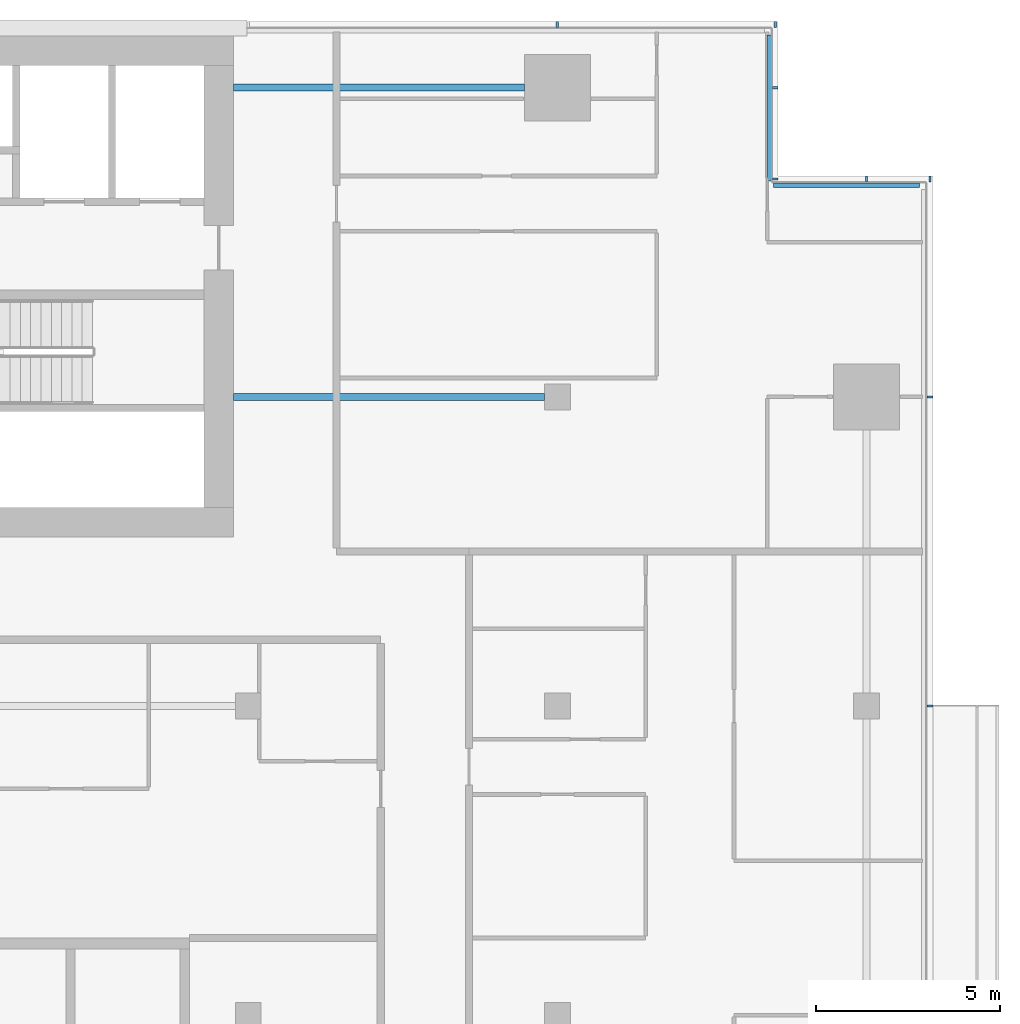
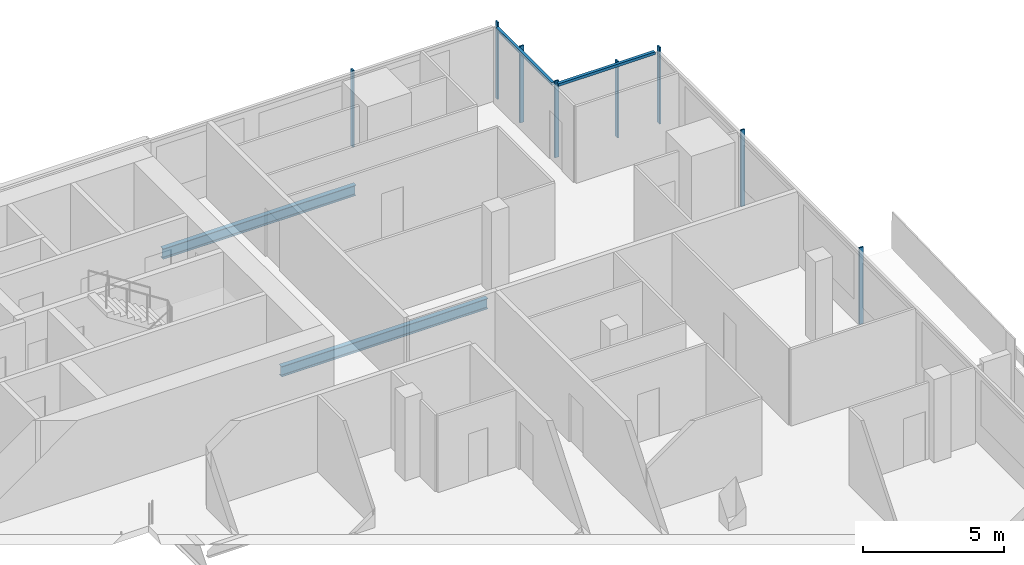
# One storey, part 14 of 29: 10 members, 2 beams, 4 elements without a shape of their own.
"""IFC4 building model written with IfcOpenShell, lengths in metres."""

from ifc_helpers import new_model, si_unit, direction, frame, origin, origin_2d, place, context, subcontext, project, spatial, rectangle, i_section, extrude, material, material_profile, profile_set, type_object, element, aggregate, save


model = new_model("IFC4")

# Units and contexts
model_context = context("Model", 3, precision=1e-05, world=origin(), true_north=direction((0.0, 1.0)))
body_context = subcontext(model_context, "Body", "Model", "MODEL_VIEW")
ifc_project = project(units=[si_unit("LENGTHUNIT", "METRE"), si_unit("AREAUNIT", "SQUARE_METRE"), si_unit("VOLUMEUNIT", "CUBIC_METRE"), si_unit("PLANEANGLEUNIT", "RADIAN"), si_unit("MASSUNIT", "GRAM", prefix="KILO")], contexts=[model_context])

# Site, building, storey
site_placement = place(None, origin())
site = spatial("IfcSite", under=ifc_project, at=site_placement, CompositionType="ELEMENT")
building_placement = place(site_placement, origin())
building = spatial("IfcBuilding", under=site, at=building_placement, Name="Saffron Gate Tower", CompositionType="ELEMENT")
storey_placement = place(building_placement, frame((0.0, 0.0, 161.85009765625)))
storey = spatial("IfcBuildingStorey", under=building, at=storey_placement, Name="L39", CompositionType="ELEMENT", Elevation=161.85009765625)

# Beams
ifc_material_1 = material(Name="Structural steel S355", Category="steel")
ifc_material_profile_1 = material_profile(ifc_material_1, i_section(OverallWidth=0.18994140625, OverallDepth=0.449951171875, WebThickness=0.009521484375, FlangeThickness=0.0146484375, FilletRadius=0.02099609375, at=origin_2d()))
ifc_profile_set_1 = profile_set([ifc_material_profile_1], Name="Structural steel S355")
beam_type = type_object("IfcBeamType", Name="B6 IPE 450", PredefinedType="BEAM", material=ifc_profile_set_1)
beam_1_placement = place(storey_placement, frame((116.64990234375, 65.39990234375, -0.505126953125), z_axis=(-1.0, 0.0, 0.0), x_axis=(0.0, -1.0, 0.0)))
element("IfcBeam", 1, at=beam_1_placement, inside=storey, type_object=beam_type, Name="B6 CORE TIE BEAM", PredefinedType="BEAM", context=body_context, shape_type="SweptSolid", body=[
    extrude(i_section(OverallWidth=0.18994140625, OverallDepth=0.449951171875, WebThickness=0.009521484375, FlangeThickness=0.0146484375, FilletRadius=0.02099609375, at=origin_2d()), origin(), (0.0, 0.0, 1.0), 8.449951171875),
])
beam_2_placement = place(storey_placement, frame((116.10009765625, 73.800048828125, -0.505126953125), z_axis=(-1.0, 0.0, 0.0), x_axis=(0.0, -1.0, 0.0)))
element("IfcBeam", 2, at=beam_2_placement, inside=storey, type_object=beam_type, Name="B6 CORE TIE BEAM", PredefinedType="BEAM", context=body_context, shape_type="SweptSolid", body=[
    extrude(i_section(OverallWidth=0.18994140625, OverallDepth=0.449951171875, WebThickness=0.009521484375, FlangeThickness=0.0146484375, FilletRadius=0.02099609375, at=origin_2d()), origin(), (0.0, 0.0, 1.0), 7.900146484375),
])

# Curtain wall, members
ifc_material_2 = material(Name="Aluminium, bronze anodised", Category="aluminium")
curtain_wall_type_1 = type_object("IfcCurtainWallType", Name="CWS2 curtain wall side facades", PredefinedType="NOTDEFINED", material=ifc_material_2)
curtain_wall_1_placement = place(storey_placement, origin())
curtain_wall_1 = element("IfcCurtainWall", 3, at=curtain_wall_1_placement, inside=storey, type_object=curtain_wall_type_1, Name="CWS2 run 4", PredefinedType="NOTDEFINED")
ifc_material_profile_2 = material_profile(ifc_material_2, rectangle(XDim=0.159912109375, YDim=0.06005859375, at=origin_2d()))
ifc_profile_set_2 = profile_set([ifc_material_profile_2], Name="Aluminium, bronze anodised")
member_type_1 = type_object("IfcMemberType", Name="CWS2 mullion 60x160", PredefinedType="MULLION", material=ifc_profile_set_2)
member_1_placement = place(storey_placement, frame((127.1201171875, 57.0, 0.0), z_axis=(0.0, 0.0, 1.0), x_axis=(-1.0, 0.0, 0.0)))
member_1 = element("IfcMember", 4, at=member_1_placement, type_object=member_type_1, Name="CWS2 mullion 4", PredefinedType="MULLION", context=body_context, shape_type="SweptSolid", body=[
    extrude(rectangle(XDim=0.159912109375, YDim=0.06005859375, at=origin_2d()), origin(), (0.0, 0.0, 1.0), 3.31982421875),
])
member_2_placement = place(storey_placement, frame((127.1201171875, 65.39990234375, 0.0), z_axis=(0.0, 0.0, 1.0), x_axis=(-1.0, 0.0, 0.0)))
member_2 = element("IfcMember", 5, at=member_2_placement, type_object=member_type_1, Name="CWS2 mullion 5", PredefinedType="MULLION", context=body_context, shape_type="SweptSolid", body=[
    extrude(rectangle(XDim=0.159912109375, YDim=0.06005859375, at=origin_2d()), origin(), (0.0, 0.0, 1.0), 3.31982421875),
])
aggregate(curtain_wall_1, [member_1, member_2])

curtain_wall_type_2 = type_object("IfcCurtainWallType", Name="CWS3 curtain wall rear facade", PredefinedType="NOTDEFINED", material=ifc_material_2)
curtain_wall_2_placement = place(storey_placement, origin())
curtain_wall_2 = element("IfcCurtainWall", 6, at=curtain_wall_2_placement, inside=storey, type_object=curtain_wall_type_2, Name="CWS3 run 7", PredefinedType="NOTDEFINED")
ifc_material_profile_3 = material_profile(ifc_material_2, rectangle(XDim=0.159912109375, YDim=0.070068359375, at=origin_2d()))
ifc_profile_set_3 = profile_set([ifc_material_profile_3], Name="Aluminium, bronze anodised")
member_type_2 = type_object("IfcMemberType", Name="CWS3 mullion 70x160", PredefinedType="MULLION", material=ifc_profile_set_3)
member_3_placement = place(storey_placement, frame((122.919921875, 75.52001953125, 0.0), z_axis=(0.0, 0.0, 1.0), x_axis=(0.0, -1.0, 0.0)))
member_3 = element("IfcMember", 7, at=member_3_placement, type_object=member_type_2, Name="CWS3 mullion 1", PredefinedType="MULLION", context=body_context, shape_type="SweptSolid", body=[
    extrude(rectangle(XDim=0.159912109375, YDim=0.070068359375, at=origin_2d()), origin(), (0.0, 0.0, 1.0), 3.31982421875),
])
member_4_placement = place(storey_placement, frame((117.0, 75.52001953125, 0.0), z_axis=(0.0, 0.0, 1.0), x_axis=(0.0, -1.0, 0.0)))
member_4 = element("IfcMember", 8, at=member_4_placement, type_object=member_type_2, Name="CWS3 mullion 2", PredefinedType="MULLION", context=body_context, shape_type="SweptSolid", body=[
    extrude(rectangle(XDim=0.159912109375, YDim=0.070068359375, at=origin_2d()), origin(), (0.0, 0.0, 1.0), 3.31982421875),
])
aggregate(curtain_wall_2, [member_3, member_4])

# Curtain wall, member
curtain_wall_type_3 = type_object("IfcCurtainWallType", Name="CWS4 curtain wall corner returns", PredefinedType="NOTDEFINED", material=ifc_material_2)
curtain_wall_3_placement = place(storey_placement, origin())
curtain_wall_3 = element("IfcCurtainWall", 9, at=curtain_wall_3_placement, inside=storey, type_object=curtain_wall_type_3, Name="CWS4 run 5", PredefinedType="NOTDEFINED")
ifc_material_profile_4 = material_profile(ifc_material_2, rectangle(XDim=0.1201171875, YDim=0.1201171875, at=origin_2d()))
ifc_profile_set_4 = profile_set([ifc_material_profile_4], Name="Aluminium, bronze anodised")
member_type_3 = type_object("IfcMemberType", Name="CWS4 head transom", PredefinedType="USERDEFINED", material=ifc_profile_set_4)
member_5_placement = place(storey_placement, frame((126.83203125, 71.152099609375, 3.260009765625), z_axis=(-1.0, 0.0, 0.0), x_axis=(0.0, -1.0, 0.0)))
member_5 = element("IfcMember", 10, at=member_5_placement, type_object=member_type_3, Name="CWS4 head transom", ObjectType="TRANSOM", PredefinedType="USERDEFINED", context=body_context, shape_type="SweptSolid", body=[
    extrude(rectangle(XDim=0.1201171875, YDim=0.1201171875, at=origin_2d()), origin(), (0.0, 0.0, 1.0), 3.9599609375),
])

curtain_wall_4_placement = place(storey_placement, origin())
curtain_wall_4 = element("IfcCurtainWall", 11, at=curtain_wall_4_placement, inside=storey, type_object=curtain_wall_type_3, Name="CWS4 run 6", PredefinedType="NOTDEFINED")
member_6_placement = place(storey_placement, frame((122.751953125, 71.27197265625, 3.260009765625), z_axis=(0.0, 1.0, 0.0), x_axis=(-1.0, 0.0, 0.0)))
member_6 = element("IfcMember", 12, at=member_6_placement, type_object=member_type_3, Name="CWS4 head transom", ObjectType="TRANSOM", PredefinedType="USERDEFINED", context=body_context, shape_type="SweptSolid", body=[
    extrude(rectangle(XDim=0.1201171875, YDim=0.1201171875, at=origin_2d()), origin(), (0.0, 0.0, 1.0), 3.9599609375),
])

# Member
ifc_material_profile_5 = material_profile(ifc_material_2, rectangle(XDim=0.159912109375, YDim=0.06005859375, at=origin_2d()))
ifc_profile_set_5 = profile_set([ifc_material_profile_5], Name="Aluminium, bronze anodised")
member_type_4 = type_object("IfcMemberType", Name="CWS4 mullion 60x160", PredefinedType="MULLION", material=ifc_profile_set_5)
member_7_placement = place(storey_placement, frame((127.1201171875, 71.320068359375, 0.0), z_axis=(0.0, 0.0, 1.0), x_axis=(0.0, -1.0, 0.0)))
member_7 = element("IfcMember", 13, at=member_7_placement, type_object=member_type_4, Name="CWS4 mullion 1", PredefinedType="MULLION", context=body_context, shape_type="SweptSolid", body=[
    extrude(rectangle(XDim=0.159912109375, YDim=0.06005859375, at=origin_2d()), origin(), (0.0, 0.0, 1.0), 3.31982421875),
])

member_8_placement = place(storey_placement, frame((125.39990234375, 71.320068359375, 0.0), z_axis=(0.0, 0.0, 1.0), x_axis=(0.0, -1.0, 0.0)))
member_8 = element("IfcMember", 14, at=member_8_placement, type_object=member_type_4, Name="CWS4 mullion 2", PredefinedType="MULLION", context=body_context, shape_type="SweptSolid", body=[
    extrude(rectangle(XDim=0.159912109375, YDim=0.06005859375, at=origin_2d()), origin(), (0.0, 0.0, 1.0), 3.31982421875),
])

aggregate(curtain_wall_3, [member_7, member_8, member_5])

member_9_placement = place(storey_placement, frame((122.919921875, 71.320068359375, 0.0), z_axis=(0.0, 0.0, 1.0), x_axis=(-1.0, 0.0, 0.0)))
member_9 = element("IfcMember", 15, at=member_9_placement, type_object=member_type_4, Name="CWS4 mullion 1", PredefinedType="MULLION", context=body_context, shape_type="SweptSolid", body=[
    extrude(rectangle(XDim=0.159912109375, YDim=0.06005859375, at=origin_2d()), origin(), (0.0, 0.0, 1.0), 3.31982421875),
])

member_10_placement = place(storey_placement, frame((122.919921875, 73.800048828125, 0.0), z_axis=(0.0, 0.0, 1.0), x_axis=(-1.0, 0.0, 0.0)))
member_10 = element("IfcMember", 16, at=member_10_placement, type_object=member_type_4, Name="CWS4 mullion 2", PredefinedType="MULLION", context=body_context, shape_type="SweptSolid", body=[
    extrude(rectangle(XDim=0.159912109375, YDim=0.06005859375, at=origin_2d()), origin(), (0.0, 0.0, 1.0), 3.31982421875),
])

aggregate(curtain_wall_4, [member_9, member_10, member_6])

save(model, "model.ifc")
